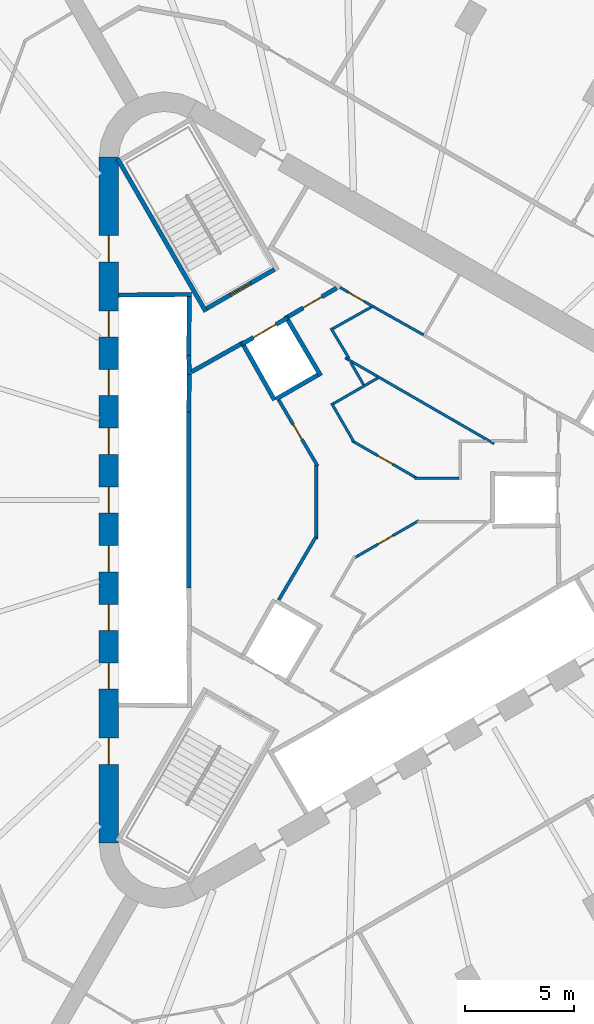
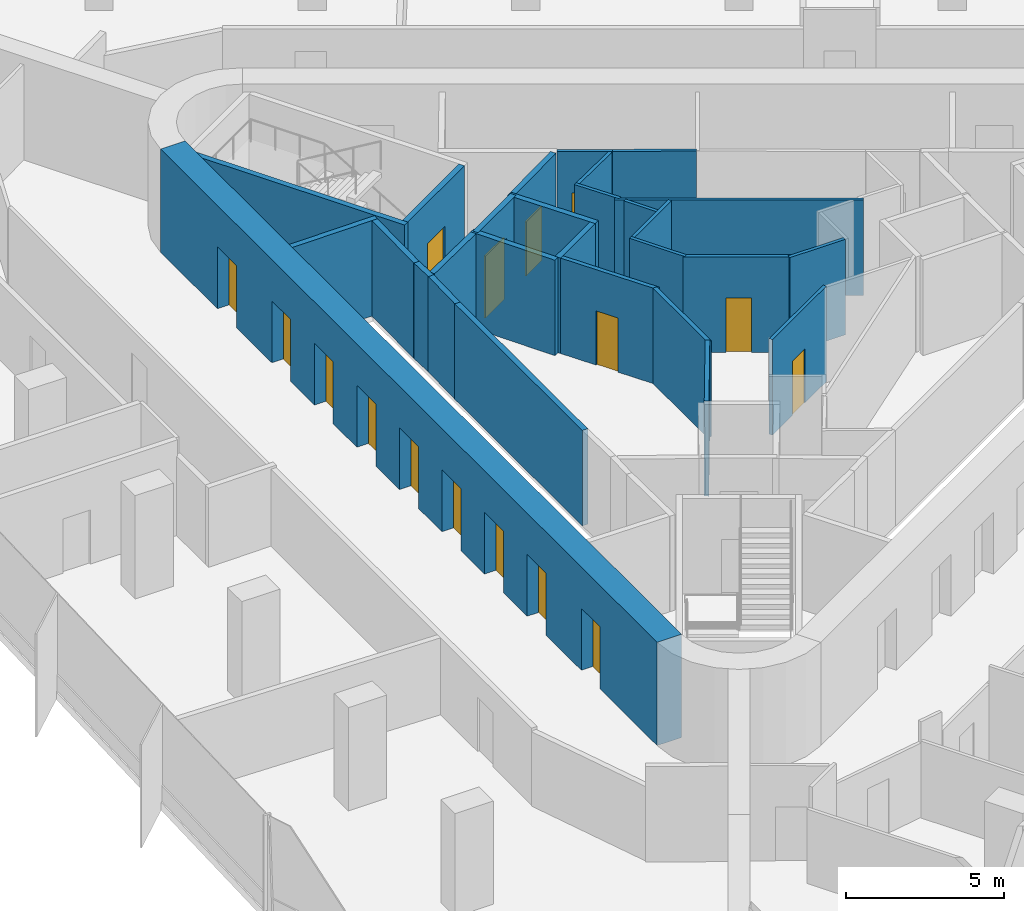
# One storey, part 10 of 14: 28 walls, 16 doors, 16 openings.
"""IFC4 building model written with IfcOpenShell, lengths in metres."""

import ifcopenshell
import ifcopenshell.guid

model = None  # the IFC model being written
_history = None  # IfcOwnerHistory: only IFC2X3 demands one
_inside = {}  # id of a spatial element -> (the spatial element, [elements in it])
_under = {}  # id of a project, library or spatial element -> (it, [spatial elements below it])
_declared = {}  # id of a project -> (the project, [libraries it declares])
_typed = {}  # id of a type object -> (the type object, [elements of that type])
_made_of = {}  # id of a material, layer set ... -> (it, [elements and type objects made of it])


def new_model(schema):
    """Start an empty IFC model of exactly this schema.

    Asked for "IFC4X3", IfcOpenShell would pick the latest addendum, in which some entities
    have other attributes; the version numbers below select the first issue.
    IFC2X3 requires an IfcOwnerHistory on every rooted entity: one is made here for all.
    """
    global model, _history
    if schema == "IFC4X3":
        model = ifcopenshell.file(schema_version=(4, 3, 0, 0))
    else:
        model = ifcopenshell.file(schema=schema)
    _inside.clear()
    _under.clear()
    _declared.clear()
    _typed.clear()
    _made_of.clear()
    _history = None
    if model.schema == "IFC2X3":
        org = make("IfcOrganization", Name="unknown")
        user = make(
            "IfcPersonAndOrganization",
            ThePerson=make("IfcPerson", FamilyName="unknown"),
            TheOrganization=org,
        )
        app = make(
            "IfcApplication",
            ApplicationDeveloper=org,
            Version="unknown",
            ApplicationFullName="unknown",
            ApplicationIdentifier="unknown",
        )
        _history = make(
            "IfcOwnerHistory",
            OwningUser=user,
            OwningApplication=app,
            ChangeAction="ADDED",
            CreationDate=0,
        )
    return model


def make(cls, **values):
    """One entity of the class cls with the attributes given. An attribute that is None is left unset."""
    return model.create_entity(
        cls, **{name: value for name, value in values.items() if value is not None}
    )


def rooted(cls, **values):
    """An entity with a GlobalId (a new one), such as an element, a storey or a relation."""
    return make(cls, GlobalId=ifcopenshell.guid.new(), OwnerHistory=_history, **values)


def si_unit(unit_type, name, prefix=None):
    """IfcSIUnit, for example si_unit("LENGTHUNIT", "METRE", prefix="MILLI")."""
    return make("IfcSIUnit", UnitType=unit_type, Prefix=prefix, Name=name)


def assignment(units):
    """IfcUnitAssignment: the units of a project."""
    return None if units is None else make("IfcUnitAssignment", Units=units)


def point(xyz):
    """IfcCartesianPoint."""
    return None if xyz is None else make("IfcCartesianPoint", Coordinates=xyz)


def direction(xyz):
    """IfcDirection."""
    return None if xyz is None else make("IfcDirection", DirectionRatios=xyz)


def frame(location, z_axis=None, x_axis=None):
    """IfcAxis2Placement3D, a coordinate frame: its origin and axes. An axis left out is left unset."""
    return make(
        "IfcAxis2Placement3D",
        Location=point(location),
        Axis=direction(z_axis),
        RefDirection=direction(x_axis),
    )


def frame_2d(location, x_axis=None):
    """IfcAxis2Placement2D, a coordinate frame in the plane: its origin and x axis."""
    return make(
        "IfcAxis2Placement2D", Location=point(location), RefDirection=direction(x_axis)
    )


def origin():
    """The frame at (0, 0, 0) with its axes left unset."""
    return frame((0.0, 0.0, 0.0))


def place(relative_to, where):
    """IfcLocalPlacement: puts the frame where relative to a parent placement (None: the world)."""
    return make(
        "IfcLocalPlacement", PlacementRelTo=relative_to, RelativePlacement=where
    )


def context(
    kind, dimensions, precision=None, world=None, true_north=None, identifier=None
):
    """IfcGeometricRepresentationContext, for example the 3D "Model" context."""
    return make(
        "IfcGeometricRepresentationContext",
        ContextIdentifier=identifier,
        ContextType=kind,
        CoordinateSpaceDimension=dimensions,
        Precision=precision,
        WorldCoordinateSystem=world,
        TrueNorth=true_north,
    )


def subcontext(parent, identifier, kind, view, scale=None):
    """IfcGeometricRepresentationSubContext, for example "Body" below "Model"."""
    return make(
        "IfcGeometricRepresentationSubContext",
        ContextIdentifier=identifier,
        ContextType=kind,
        ParentContext=parent,
        TargetScale=scale,
        TargetView=view,
    )


def project(units=None, contexts=None):
    """IfcProject with its units and contexts."""
    return rooted(
        "IfcProject",
        Name="project",
        RepresentationContexts=contexts,
        UnitsInContext=assignment(units),
    )


def spatial(cls, under=None, at=None, **own):
    """A site, building, storey or space (cls), placed at a placement, below another one or the project."""
    s = rooted(cls, ObjectPlacement=at, **own)
    if under is not None:
        _under.setdefault(under.id(), (under, []))[1].append(s)
    return s


def profile(cls, at=None, kind="AREA", **sizes):
    """A parametric profile (cls). Its sizes go by their IFC names, for example OverallWidth=200.0."""
    return make(cls, ProfileType=kind, Position=at, **sizes)


def rectangle(**sizes):
    """IfcRectangleProfileDef."""
    return profile("IfcRectangleProfileDef", **sizes)


def extrude(swept, where, along, depth):
    """IfcExtrudedAreaSolid: the profile swept, set in the frame where, extruded along a direction by depth."""
    return make(
        "IfcExtrudedAreaSolid",
        SweptArea=swept,
        Position=where,
        ExtrudedDirection=direction(along),
        Depth=depth,
    )


def shape(context_of_items, identifier, shape_type, items):
    """IfcShapeRepresentation: the items that make up one representation, for example the "Body"."""
    return make(
        "IfcShapeRepresentation",
        ContextOfItems=context_of_items,
        RepresentationIdentifier=identifier,
        RepresentationType=shape_type,
        Items=items,
    )


def material(Name=None, Category=None):
    """IfcMaterial."""
    return make("IfcMaterial", Name=Name, Category=Category)


def layer(
    of_material, thickness, ventilated=None, Name=None, Category=None, Priority=None
):
    """IfcMaterialLayer: one layer of a wall or slab, of a material (None: an air gap)."""
    return make(
        "IfcMaterialLayer",
        Material=of_material,
        LayerThickness=thickness,
        IsVentilated=ventilated,
        Name=Name,
        Category=Category,
        Priority=Priority,
    )


def layer_set(layers, Name=None):
    """IfcMaterialLayerSet."""
    return make("IfcMaterialLayerSet", MaterialLayers=layers, LayerSetName=Name)


def made_of(thing, what):
    """Note that an element or type object is made of a material, layer set ...; save() writes the relation."""
    if what is not None:
        _made_of.setdefault(what.id(), (what, []))[1].append(thing)
    return thing


def type_object(cls, material=None, **own):
    """A type object (cls), such as IfcWallType, which elements share."""
    return made_of(rooted(cls, **own), material)


def element(
    cls,
    number,
    at=None,
    inside=None,
    cuts=None,
    type_object=None,
    material=None,
    context=None,
    identifier="Body",
    shape_type=None,
    held_by="IfcProductDefinitionShape",
    body=None,
    shapes=None,
    **own,
):
    """One element of the class cls, such as IfcWall. Its Tag is "e" and its number.

    at: its placement. inside: the storey or other place that contains it. cuts: it is an
    opening in that element (IfcRelVoidsElement). A single representation is given by context,
    identifier, shape_type and body (its items); several are given by shapes. held_by: the class
    of the entity that holds the representations. save() writes the other relations.
    """
    e = rooted(cls, Tag="e%d" % number, ObjectPlacement=at, **own)
    if body is not None:
        shapes = [shape(context, identifier, shape_type, body)]
    if shapes is not None:
        e.Representation = make(held_by, Representations=shapes)
    if inside is not None:
        _inside.setdefault(inside.id(), (inside, []))[1].append(e)
    if cuts is not None:
        rooted(
            "IfcRelVoidsElement", RelatingBuildingElement=cuts, RelatedOpeningElement=e
        )
    if type_object is not None:
        _typed.setdefault(type_object.id(), (type_object, []))[1].append(e)
    return made_of(e, material)


def fill(opening, filler):
    """IfcRelFillsElement: the door or window that sits in an opening."""
    return rooted(
        "IfcRelFillsElement",
        RelatingOpeningElement=opening,
        RelatedBuildingElement=filler,
    )


def aggregate(whole, parts):
    """IfcRelAggregates: a whole, such as a stair, and the parts it consists of."""
    return rooted("IfcRelAggregates", RelatingObject=whole, RelatedObjects=parts)


def save(model, path):
    """Write the relations noted so far, then the file.

    IfcRelAggregates (storeys below a building ...), IfcRelContainedInSpatialStructure (elements
    in a storey), IfcRelDefinesByType, IfcRelAssociatesMaterial and IfcRelDeclares: one each for
    every whole, place, type object, material and project.
    """
    for whole, parts in _under.values():
        aggregate(whole, parts)
    for where, things in _inside.values():
        rooted(
            "IfcRelContainedInSpatialStructure",
            RelatedElements=things,
            RelatingStructure=where,
        )
    for kind, things in _typed.values():
        rooted("IfcRelDefinesByType", RelatedObjects=things, RelatingType=kind)
    for what, things in _made_of.values():
        rooted("IfcRelAssociatesMaterial", RelatedObjects=things, RelatingMaterial=what)
    for by, libraries in _declared.values():
        rooted("IfcRelDeclares", RelatingContext=by, RelatedDefinitions=libraries)
    model.write(path)


model = new_model("IFC4")

# Units and contexts
model_context = context("Model", 3, precision=1e-05, world=origin(), true_north=direction((0.0, 1.0)))
body_context = subcontext(model_context, "Body", "Model", "MODEL_VIEW")
ifc_project = project(units=[si_unit("LENGTHUNIT", "METRE"), si_unit("AREAUNIT", "SQUARE_METRE"), si_unit("VOLUMEUNIT", "CUBIC_METRE"), si_unit("PLANEANGLEUNIT", "RADIAN"), si_unit("MASSUNIT", "GRAM", prefix="KILO")], contexts=[model_context])

# Site, building, storey
site_placement = place(None, origin())
site = spatial("IfcSite", under=ifc_project, at=site_placement, CompositionType="ELEMENT")
building_placement = place(site_placement, origin())
building = spatial("IfcBuilding", under=site, at=building_placement, Name="Tanit Gate Tower", CompositionType="ELEMENT")
storey_placement = place(building_placement, frame((0.0, 0.0, 241.199951171875)))
storey = spatial("IfcBuildingStorey", under=building, at=storey_placement, Name="L54", CompositionType="ELEMENT", Elevation=241.199951171875)

# Wall, openings, doors
ifc_material_1 = material(Name="Concrete C50/60", Category="concrete")
ifc_layer_1 = layer(ifc_material_1, 0.89990234375)
ifc_layer_set_1 = layer_set([ifc_layer_1], Name="CORE WALL 900 C50/60")
wall_type_1 = type_object("IfcWallType", Name="CORE WALL 900 C50/60", PredefinedType="SHEAR", material=ifc_layer_set_1)
wall_1_placement = place(storey_placement, frame((-11.64990234375, 15.76171875, 0.0), z_axis=(0.0, 0.0, 1.0), x_axis=(0.0, -1.0, 0.0)))
wall_1 = element("IfcWall", 1, at=wall_1_placement, inside=storey, type_object=wall_type_1, Name="CORE WALL", PredefinedType="SHEAR", context=body_context, shape_type="SweptSolid", body=[
    extrude(rectangle(XDim=31.5234375, YDim=0.89990234375, at=frame_2d((15.76171875, 0.0))), origin(), (0.0, 0.0, 1.0), 4.0),
])
opening_1_placement = place(wall_1_placement, frame((7.061767578125, 0.0, 0.0)))
opening_1 = element("IfcOpeningElement", 2, at=opening_1_placement, cuts=wall_1, Name="Opening LDML1-S15", PredefinedType="OPENING", context=body_context, shape_type="SweptSolid", body=[
    extrude(rectangle(XDim=1.199951171875, YDim=2.39990234375, at=frame_2d((0.60009765625, 1.199951171875))), frame((0.0, 0.4599609375, 0.0), z_axis=(0.0, -1.0, 0.0), x_axis=(1.0, 0.0, 0.0)), (0.0, 0.0, 1.0), 0.919921875),
])
opening_2_placement = place(wall_1_placement, frame((9.76171875, 0.0, 0.0)))
opening_2 = element("IfcOpeningElement", 3, at=opening_2_placement, cuts=wall_1, Name="Opening LDML2-S15", PredefinedType="OPENING", context=body_context, shape_type="SweptSolid", body=[
    extrude(rectangle(XDim=1.199951171875, YDim=2.39990234375, at=frame_2d((0.60009765625, 1.199951171875))), frame((0.0, 0.4599609375, 0.0), z_axis=(0.0, -1.0, 0.0), x_axis=(1.0, 0.0, 0.0)), (0.0, 0.0, 1.0), 0.919921875),
])
opening_3_placement = place(wall_1_placement, frame((12.461669921875, 0.0, 0.0)))
opening_3 = element("IfcOpeningElement", 4, at=opening_3_placement, cuts=wall_1, Name="Opening LDML3-S15", PredefinedType="OPENING", context=body_context, shape_type="SweptSolid", body=[
    extrude(rectangle(XDim=1.199951171875, YDim=2.39990234375, at=frame_2d((0.60009765625, 1.199951171875))), frame((0.0, 0.4599609375, 0.0), z_axis=(0.0, -1.0, 0.0), x_axis=(1.0, 0.0, 0.0)), (0.0, 0.0, 1.0), 0.919921875),
])
opening_4_placement = place(wall_1_placement, frame((15.16162109375, 0.0, 0.0)))
opening_4 = element("IfcOpeningElement", 5, at=opening_4_placement, cuts=wall_1, Name="Opening LDML4-S15", PredefinedType="OPENING", context=body_context, shape_type="SweptSolid", body=[
    extrude(rectangle(XDim=1.199951171875, YDim=2.39990234375, at=frame_2d((0.60009765625, 1.199951171875))), frame((0.0, 0.4599609375, 0.0), z_axis=(0.0, -1.0, 0.0), x_axis=(1.0, 0.0, 0.0)), (0.0, 0.0, 1.0), 0.919921875),
])
opening_5_placement = place(wall_1_placement, frame((17.86181640625, 0.0, 0.0)))
opening_5 = element("IfcOpeningElement", 6, at=opening_5_placement, cuts=wall_1, Name="Opening LDML5-S15", PredefinedType="OPENING", context=body_context, shape_type="SweptSolid", body=[
    extrude(rectangle(XDim=1.199951171875, YDim=2.39990234375, at=frame_2d((0.60009765625, 1.199951171875))), frame((0.0, 0.4599609375, 0.0), z_axis=(0.0, -1.0, 0.0), x_axis=(1.0, 0.0, 0.0)), (0.0, 0.0, 1.0), 0.919921875),
])
opening_6_placement = place(wall_1_placement, frame((20.561767578125, 0.0, 0.0)))
opening_6 = element("IfcOpeningElement", 7, at=opening_6_placement, cuts=wall_1, Name="Opening LDML6-S15", PredefinedType="OPENING", context=body_context, shape_type="SweptSolid", body=[
    extrude(rectangle(XDim=1.199951171875, YDim=2.39990234375, at=frame_2d((0.60009765625, 1.199951171875))), frame((0.0, 0.4599609375, 0.0), z_axis=(0.0, -1.0, 0.0), x_axis=(1.0, 0.0, 0.0)), (0.0, 0.0, 1.0), 0.919921875),
])
opening_7_placement = place(wall_1_placement, frame((23.26171875, 0.0, 0.0)))
opening_7 = element("IfcOpeningElement", 8, at=opening_7_placement, cuts=wall_1, Name="Opening LDML7-S15", PredefinedType="OPENING", context=body_context, shape_type="SweptSolid", body=[
    extrude(rectangle(XDim=1.199951171875, YDim=2.39990234375, at=frame_2d((0.60009765625, 1.199951171875))), frame((0.0, 0.4599609375, 0.0), z_axis=(0.0, -1.0, 0.0), x_axis=(1.0, 0.0, 0.0)), (0.0, 0.0, 1.0), 0.919921875),
])
opening_8_placement = place(wall_1_placement, frame((3.61181640625, 0.0, 0.0)))
opening_8 = element("IfcOpeningElement", 9, at=opening_8_placement, cuts=wall_1, Name="Opening F12-S15-FL2", PredefinedType="OPENING", context=body_context, shape_type="SweptSolid", body=[
    extrude(rectangle(XDim=1.199951171875, YDim=2.39990234375, at=frame_2d((0.60009765625, 1.199951171875))), frame((0.0, 0.4599609375, 0.0), z_axis=(0.0, -1.0, 0.0), x_axis=(1.0, 0.0, 0.0)), (0.0, 0.0, 1.0), 0.919921875),
])
opening_9_placement = place(wall_1_placement, frame((26.711669921875, 0.0, 0.0)))
opening_9 = element("IfcOpeningElement", 10, at=opening_9_placement, cuts=wall_1, Name="Opening F12-S15-S3", PredefinedType="OPENING", context=body_context, shape_type="SweptSolid", body=[
    extrude(rectangle(XDim=1.199951171875, YDim=2.39990234375, at=frame_2d((0.60009765625, 1.199951171875))), frame((0.0, 0.4599609375, 0.0), z_axis=(0.0, -1.0, 0.0), x_axis=(1.0, 0.0, 0.0)), (0.0, 0.0, 1.0), 0.919921875),
])
ifc_material_2 = material(Name="Fire-rated steel door leaf", Category="steel")
door_type_1 = type_object("IfcDoorType", Name="INT-DOOR-FIRE-LOBBY-1200", OperationType="NOTDEFINED", PredefinedType="USERDEFINED", material=ifc_material_2)
door_1_placement = place(opening_8_placement, origin())
door_1 = element("IfcDoor", 11, at=door_1_placement, inside=storey, type_object=door_type_1, Name="Door F12-S15-FL2", ObjectType="FIRE DOOR", OperationType="SINGLE_SWING_RIGHT", OverallHeight=2.39990234375, OverallWidth=1.199951171875, PredefinedType="USERDEFINED", context=body_context, shape_type="SweptSolid", body=[
    extrude(rectangle(XDim=1.199951171875, YDim=2.39990234375, at=frame_2d((0.60009765625, 1.199951171875))), frame((0.0, 0.02490234375, 0.0), z_axis=(0.0, -1.0, 0.0), x_axis=(1.0, 0.0, 0.0)), (0.0, 0.0, 1.0), 0.050048828125),
])
fill(opening_8, door_1)
door_2_placement = place(opening_9_placement, origin())
door_2 = element("IfcDoor", 12, at=door_2_placement, inside=storey, type_object=door_type_1, Name="Door F12-S15-S3", ObjectType="FIRE DOOR", OperationType="SINGLE_SWING_RIGHT", OverallHeight=2.39990234375, OverallWidth=1.199951171875, PredefinedType="USERDEFINED", context=body_context, shape_type="SweptSolid", body=[
    extrude(rectangle(XDim=1.199951171875, YDim=2.39990234375, at=frame_2d((0.60009765625, 1.199951171875))), frame((0.0, 0.02490234375, 0.0), z_axis=(0.0, -1.0, 0.0), x_axis=(1.0, 0.0, 0.0)), (0.0, 0.0, 1.0), 0.050048828125),
])
fill(opening_9, door_2)
ifc_material_3 = material(Name="Stainless steel sliding door leaf", Category="steel")
door_type_2 = type_object("IfcDoorType", Name="INT-DOOR-LANDING-1200", OperationType="NOTDEFINED", PredefinedType="USERDEFINED", material=ifc_material_3)
door_3_placement = place(opening_1_placement, origin())
door_3 = element("IfcDoor", 13, at=door_3_placement, inside=storey, type_object=door_type_2, Name="Door LDML1-S15", ObjectType="LANDING DOOR", OperationType="SLIDING_TO_LEFT", OverallHeight=2.39990234375, OverallWidth=1.199951171875, PredefinedType="USERDEFINED", context=body_context, shape_type="SweptSolid", body=[
    extrude(rectangle(XDim=1.199951171875, YDim=2.39990234375, at=frame_2d((0.60009765625, 1.199951171875))), frame((0.0, 0.02490234375, 0.0), z_axis=(0.0, -1.0, 0.0), x_axis=(1.0, 0.0, 0.0)), (0.0, 0.0, 1.0), 0.050048828125),
])
fill(opening_1, door_3)
door_4_placement = place(opening_2_placement, origin())
door_4 = element("IfcDoor", 14, at=door_4_placement, inside=storey, type_object=door_type_2, Name="Door LDML2-S15", ObjectType="LANDING DOOR", OperationType="SLIDING_TO_LEFT", OverallHeight=2.39990234375, OverallWidth=1.199951171875, PredefinedType="USERDEFINED", context=body_context, shape_type="SweptSolid", body=[
    extrude(rectangle(XDim=1.199951171875, YDim=2.39990234375, at=frame_2d((0.60009765625, 1.199951171875))), frame((0.0, 0.02490234375, 0.0), z_axis=(0.0, -1.0, 0.0), x_axis=(1.0, 0.0, 0.0)), (0.0, 0.0, 1.0), 0.050048828125),
])
fill(opening_2, door_4)
door_5_placement = place(opening_3_placement, origin())
door_5 = element("IfcDoor", 15, at=door_5_placement, inside=storey, type_object=door_type_2, Name="Door LDML3-S15", ObjectType="LANDING DOOR", OperationType="SLIDING_TO_LEFT", OverallHeight=2.39990234375, OverallWidth=1.199951171875, PredefinedType="USERDEFINED", context=body_context, shape_type="SweptSolid", body=[
    extrude(rectangle(XDim=1.199951171875, YDim=2.39990234375, at=frame_2d((0.60009765625, 1.199951171875))), frame((0.0, 0.02490234375, 0.0), z_axis=(0.0, -1.0, 0.0), x_axis=(1.0, 0.0, 0.0)), (0.0, 0.0, 1.0), 0.050048828125),
])
fill(opening_3, door_5)
door_6_placement = place(opening_4_placement, origin())
door_6 = element("IfcDoor", 16, at=door_6_placement, inside=storey, type_object=door_type_2, Name="Door LDML4-S15", ObjectType="LANDING DOOR", OperationType="SLIDING_TO_LEFT", OverallHeight=2.39990234375, OverallWidth=1.199951171875, PredefinedType="USERDEFINED", context=body_context, shape_type="SweptSolid", body=[
    extrude(rectangle(XDim=1.199951171875, YDim=2.39990234375, at=frame_2d((0.60009765625, 1.199951171875))), frame((0.0, 0.02490234375, 0.0), z_axis=(0.0, -1.0, 0.0), x_axis=(1.0, 0.0, 0.0)), (0.0, 0.0, 1.0), 0.050048828125),
])
fill(opening_4, door_6)
door_7_placement = place(opening_5_placement, origin())
door_7 = element("IfcDoor", 17, at=door_7_placement, inside=storey, type_object=door_type_2, Name="Door LDML5-S15", ObjectType="LANDING DOOR", OperationType="SLIDING_TO_LEFT", OverallHeight=2.39990234375, OverallWidth=1.199951171875, PredefinedType="USERDEFINED", context=body_context, shape_type="SweptSolid", body=[
    extrude(rectangle(XDim=1.199951171875, YDim=2.39990234375, at=frame_2d((0.60009765625, 1.199951171875))), frame((0.0, 0.02490234375, 0.0), z_axis=(0.0, -1.0, 0.0), x_axis=(1.0, 0.0, 0.0)), (0.0, 0.0, 1.0), 0.050048828125),
])
fill(opening_5, door_7)
door_8_placement = place(opening_6_placement, origin())
door_8 = element("IfcDoor", 18, at=door_8_placement, inside=storey, type_object=door_type_2, Name="Door LDML6-S15", ObjectType="LANDING DOOR", OperationType="SLIDING_TO_LEFT", OverallHeight=2.39990234375, OverallWidth=1.199951171875, PredefinedType="USERDEFINED", context=body_context, shape_type="SweptSolid", body=[
    extrude(rectangle(XDim=1.199951171875, YDim=2.39990234375, at=frame_2d((0.60009765625, 1.199951171875))), frame((0.0, 0.02490234375, 0.0), z_axis=(0.0, -1.0, 0.0), x_axis=(1.0, 0.0, 0.0)), (0.0, 0.0, 1.0), 0.050048828125),
])
fill(opening_6, door_8)
door_9_placement = place(opening_7_placement, origin())
door_9 = element("IfcDoor", 19, at=door_9_placement, inside=storey, type_object=door_type_2, Name="Door LDML7-S15", ObjectType="LANDING DOOR", OperationType="SLIDING_TO_LEFT", OverallHeight=2.39990234375, OverallWidth=1.199951171875, PredefinedType="USERDEFINED", context=body_context, shape_type="SweptSolid", body=[
    extrude(rectangle(XDim=1.199951171875, YDim=2.39990234375, at=frame_2d((0.60009765625, 1.199951171875))), frame((0.0, 0.02490234375, 0.0), z_axis=(0.0, -1.0, 0.0), x_axis=(1.0, 0.0, 0.0)), (0.0, 0.0, 1.0), 0.050048828125),
])
fill(opening_7, door_9)

# Wall
ifc_material_4 = material(Name="Fire-rated gypsum board partition")
ifc_layer_2 = layer(ifc_material_4, 0.199951171875)
ifc_layer_set_2 = layer_set([ifc_layer_2], Name="INT-WALL-COMPARTMENT")
wall_type_2 = type_object("IfcWallType", Name="INT-WALL-COMPARTMENT", PredefinedType="PARTITIONING", material=ifc_layer_set_2)
wall_2_placement = place(storey_placement, frame((-5.600341796875, 7.16015625, 0.0), z_axis=(0.0, 0.0, 1.0), x_axis=(-0.871340486379, -0.490678873396, 0.0)))
element("IfcWall", 20, at=wall_2_placement, inside=storey, type_object=wall_type_2, Name="Wall Compartment W061", PredefinedType="PARTITIONING", context=body_context, shape_type="SweptSolid", body=[
    extrude(rectangle(XDim=2.580810546875, YDim=0.199951171875, at=frame_2d((1.29052734375, 0.0))), origin(), (0.0, 0.0, 1.0), 3.699951171875),
])

# Wall, opening, door
wall_3_placement = place(storey_placement, frame((-1.1787109375, 9.744873046875, 0.0), z_axis=(0.0, 0.0, 1.0), x_axis=(-0.860630814782, -0.509229418482, 0.0)))
wall_3 = element("IfcWall", 21, at=wall_3_placement, inside=storey, type_object=wall_type_2, Name="Wall Compartment W062", PredefinedType="PARTITIONING", context=body_context, shape_type="SweptSolid", body=[
    extrude(rectangle(XDim=2.581787109375, YDim=0.199951171875, at=frame_2d((1.291015625, 0.0))), origin(), (0.0, 0.0, 1.0), 3.699951171875),
])
opening_10_placement = place(wall_3_placement, frame((0.791015625, 0.0, 0.0)))
opening_10 = element("IfcOpeningElement", 22, at=opening_10_placement, cuts=wall_3, Name="Opening F10-S15-05", PredefinedType="OPENING", context=body_context, shape_type="SweptSolid", body=[
    extrude(rectangle(XDim=1.0, YDim=2.10009765625, at=frame_2d((0.5, 1.050048828125))), frame((0.0, 0.10986328125, 0.0), z_axis=(0.0, -1.0, 0.0), x_axis=(1.0, 0.0, 0.0)), (0.0, 0.0, 1.0), 0.219970703125),
])
ifc_material_5 = material(Name="Fire-rated steel door leaf", Category="steel")
door_type_3 = type_object("IfcDoorType", Name="INT-DOOR-FIRE-1000", OperationType="NOTDEFINED", PredefinedType="USERDEFINED", material=ifc_material_5)
door_10_placement = place(opening_10_placement, origin())
door_10 = element("IfcDoor", 23, at=door_10_placement, inside=storey, type_object=door_type_3, Name="Door F10-S15-05", ObjectType="FIRE DOOR", OperationType="SINGLE_SWING_RIGHT", OverallHeight=2.10009765625, OverallWidth=1.0, PredefinedType="USERDEFINED", context=body_context, shape_type="SweptSolid", body=[
    extrude(rectangle(XDim=1.0, YDim=2.10009765625, at=frame_2d((0.5, 1.050048828125))), frame((0.0, 0.02490234375, 0.0), z_axis=(0.0, -1.0, 0.0), x_axis=(1.0, 0.0, 0.0)), (0.0, 0.0, 1.0), 0.050048828125),
])
fill(opening_10, door_10)

ifc_material_6 = material(Name="Gypsum board partition")
ifc_layer_3 = layer(ifc_material_6, 0.1201171875)
ifc_layer_set_3 = layer_set([ifc_layer_3], Name="INT-WALL-PARTITION")
wall_type_3 = type_object("IfcWallType", Name="INT-WALL-PARTITION", PredefinedType="PARTITIONING", material=ifc_layer_set_3)
wall_4_placement = place(storey_placement, frame((-1.02392578125, 9.77099609375, 0.0), z_axis=(0.0, 0.0, 1.0), x_axis=(0.866039397417, -0.499975761534, 0.0)))
wall_4 = element("IfcWall", 24, at=wall_4_placement, inside=storey, type_object=wall_type_3, Name="Wall Partition W056", PredefinedType="PARTITIONING", context=body_context, shape_type="SweptSolid", body=[
    extrude(rectangle(XDim=1.751953125, YDim=0.1201171875, at=frame_2d((0.8759765625, 0.0))), origin(), (0.0, 0.0, 1.0), 3.699951171875),
])
opening_11_placement = place(wall_4_placement, frame((0.4658203125, 0.0, 0.0)))
opening_11 = element("IfcOpeningElement", 25, at=opening_11_placement, cuts=wall_4, Name="Opening R08-S15-16", PredefinedType="OPENING", context=body_context, shape_type="SweptSolid", body=[
    extrude(rectangle(XDim=0.800048828125, YDim=2.10009765625, at=frame_2d((0.39990234375, 1.050048828125))), frame((0.0, 0.070068359375, 0.0), z_axis=(0.0, -1.0, 0.0), x_axis=(1.0, 0.0, 0.0)), (0.0, 0.0, 1.0), 0.14013671875),
])
ifc_material_7 = material(Name="Timber door leaf", Category="wood")
door_type_4 = type_object("IfcDoorType", Name="INT-DOOR-RISER-800", OperationType="NOTDEFINED", PredefinedType="USERDEFINED", material=ifc_material_7)
door_11_placement = place(opening_11_placement, origin())
door_11 = element("IfcDoor", 26, at=door_11_placement, inside=storey, type_object=door_type_4, Name="Door R08-S15-16", ObjectType="FIRE DOOR", OperationType="SINGLE_SWING_RIGHT", OverallHeight=2.10009765625, OverallWidth=0.800048828125, PredefinedType="USERDEFINED", context=body_context, shape_type="SweptSolid", body=[
    extrude(rectangle(XDim=0.800048828125, YDim=2.10009765625, at=frame_2d((0.39990234375, 1.050048828125))), frame((0.0, 0.02490234375, 0.0), z_axis=(0.0, -1.0, 0.0), x_axis=(1.0, 0.0, 0.0)), (0.0, 0.0, 1.0), 0.050048828125),
])
fill(opening_11, door_11)

# Wall
wall_5_placement = place(storey_placement, frame((0.493896484375, 8.895751953125, 0.0), z_axis=(0.0, 0.0, 1.0), x_axis=(0.871426548871, -0.490526013503, 0.0)))
element("IfcWall", 27, at=wall_5_placement, inside=storey, type_object=wall_type_3, Name="Wall Partition W055", PredefinedType="PARTITIONING", context=body_context, shape_type="SweptSolid", body=[
    extrude(rectangle(XDim=2.670166015625, YDim=0.1201171875, at=frame_2d((1.3349609375, 0.0))), origin(), (0.0, 0.0, 1.0), 3.699951171875),
])

# Wall, opening, door
wall_6_placement = place(storey_placement, frame((2.6015625, -0.947998046875, 0.0), z_axis=(0.0, 0.0, 1.0), x_axis=(-0.86601279846, -0.500021832428, 0.0)))
wall_6 = element("IfcWall", 28, at=wall_6_placement, inside=storey, type_object=wall_type_3, Name="Wall Partition W072", PredefinedType="PARTITIONING", context=body_context, shape_type="SweptSolid", body=[
    extrude(rectangle(XDim=3.435302734375, YDim=0.1201171875, at=frame_2d((1.7177734375, 0.0))), origin(), (0.0, 0.0, 1.0), 3.699951171875),
])
opening_12_placement = place(wall_6_placement, frame((1.36962890625, 0.0, 0.0)))
opening_12 = element("IfcOpeningElement", 29, at=opening_12_placement, cuts=wall_6, Name="Opening R08-S15-11", PredefinedType="OPENING", context=body_context, shape_type="SweptSolid", body=[
    extrude(rectangle(XDim=0.800048828125, YDim=2.10009765625, at=frame_2d((0.39990234375, 1.050048828125))), frame((0.0, 0.070068359375, 0.0), z_axis=(0.0, -1.0, 0.0), x_axis=(1.0, 0.0, 0.0)), (0.0, 0.0, 1.0), 0.14013671875),
])
door_12_placement = place(opening_12_placement, origin())
door_12 = element("IfcDoor", 30, at=door_12_placement, inside=storey, type_object=door_type_4, Name="Door R08-S15-11", ObjectType="FIRE DOOR", OperationType="SINGLE_SWING_RIGHT", OverallHeight=2.10009765625, OverallWidth=0.800048828125, PredefinedType="USERDEFINED", context=body_context, shape_type="SweptSolid", body=[
    extrude(rectangle(XDim=0.800048828125, YDim=2.10009765625, at=frame_2d((0.39990234375, 1.050048828125))), frame((0.0, 0.02490234375, 0.0), z_axis=(0.0, -1.0, 0.0), x_axis=(1.0, 0.0, 0.0)), (0.0, 0.0, 1.0), 0.050048828125),
])
fill(opening_12, door_12)

# Walls
wall_7_placement = place(storey_placement, frame((-0.786376953125, 6.5380859375, 0.0), z_axis=(0.0, 0.0, 1.0), x_axis=(0.866034288228, -0.499984611377, 0.0)))
element("IfcWall", 31, at=wall_7_placement, inside=storey, type_object=wall_type_3, Name="Wall Partition W076", PredefinedType="PARTITIONING", context=body_context, shape_type="SweptSolid", body=[
    extrude(rectangle(XDim=7.900146484375, YDim=0.1201171875, at=frame_2d((3.9501953125, 0.0))), origin(), (0.0, 0.0, 1.0), 3.699951171875),
])
wall_8_placement = place(storey_placement, frame((2.407470703125, 1.0, 0.0), z_axis=(0.0, 0.0, 1.0), x_axis=(1.0, 0.0, 0.0)))
element("IfcWall", 32, at=wall_8_placement, inside=storey, type_object=wall_type_3, Name="Wall Partition W079", PredefinedType="PARTITIONING", context=body_context, shape_type="SweptSolid", body=[
    extrude(rectangle(XDim=2.032470703125, YDim=0.1201171875, at=frame_2d((1.01611328125, 0.0))), origin(), (0.0, 0.0, 1.0), 3.699951171875),
])

# Wall, opening, door
wall_9_placement = place(storey_placement, frame((-0.479736328125, 2.72705078125, 0.0), z_axis=(0.0, 0.0, 1.0), x_axis=(0.86601279846, -0.500021832428, 0.0)))
wall_9 = element("IfcWall", 33, at=wall_9_placement, inside=storey, type_object=wall_type_3, Name="Wall Partition W080", PredefinedType="PARTITIONING", context=body_context, shape_type="SweptSolid", body=[
    extrude(rectangle(XDim=3.435302734375, YDim=0.1201171875, at=frame_2d((1.7177734375, 0.0))), origin(), (0.0, 0.0, 1.0), 3.699951171875),
])
opening_13_placement = place(wall_9_placement, frame((1.36962890625, 0.0, 0.0)))
opening_13 = element("IfcOpeningElement", 34, at=opening_13_placement, cuts=wall_9, Name="Opening R08-S15-13", PredefinedType="OPENING", context=body_context, shape_type="SweptSolid", body=[
    extrude(rectangle(XDim=0.800048828125, YDim=2.10009765625, at=frame_2d((0.39990234375, 1.050048828125))), frame((0.0, 0.070068359375, 0.0), z_axis=(0.0, -1.0, 0.0), x_axis=(1.0, 0.0, 0.0)), (0.0, 0.0, 1.0), 0.14013671875),
])
door_13_placement = place(opening_13_placement, origin())
door_13 = element("IfcDoor", 35, at=door_13_placement, inside=storey, type_object=door_type_4, Name="Door R08-S15-13", ObjectType="FIRE DOOR", OperationType="SINGLE_SWING_LEFT", OverallHeight=2.10009765625, OverallWidth=0.800048828125, PredefinedType="USERDEFINED", context=body_context, shape_type="SweptSolid", body=[
    extrude(rectangle(XDim=0.800048828125, YDim=2.10009765625, at=frame_2d((0.39990234375, 1.050048828125))), frame((0.0, 0.02490234375, 0.0), z_axis=(0.0, -1.0, 0.0), x_axis=(1.0, 0.0, 0.0)), (0.0, 0.0, 1.0), 0.050048828125),
])
fill(opening_13, door_13)

# Walls
wall_10_placement = place(storey_placement, frame((-1.4140625, 4.448974609375, 0.0), z_axis=(0.0, 0.0, 1.0), x_axis=(0.500097243556, -0.865969252911, 0.0)))
element("IfcWall", 36, at=wall_10_placement, inside=storey, type_object=wall_type_3, Name="Wall Partition W081", PredefinedType="PARTITIONING", context=body_context, shape_type="SweptSolid", body=[
    extrude(rectangle(XDim=2.02978515625, YDim=0.1201171875, at=frame_2d((1.014892578125, 0.0))), origin(), (0.0, 0.0, 1.0), 3.699951171875),
])
wall_11_placement = place(storey_placement, frame((0.708984375, 5.60546875, 0.0), z_axis=(0.0, 0.0, 1.0), x_axis=(-0.8660096254, -0.500027327967, 0.0)))
element("IfcWall", 37, at=wall_11_placement, inside=storey, type_object=wall_type_3, Name="Wall Partition W082", PredefinedType="PARTITIONING", context=body_context, shape_type="SweptSolid", body=[
    extrude(rectangle(XDim=2.356689453125, YDim=0.1201171875, at=frame_2d((1.17822265625, 0.0))), origin(), (0.0, 0.0, 1.0), 3.699951171875),
])
wall_12_placement = place(storey_placement, frame((-0.532470703125, 6.322265625, 0.0), z_axis=(0.0, 0.0, 1.0), x_axis=(0.50005036918, -0.865996321171, 0.0)))
element("IfcWall", 38, at=wall_12_placement, inside=storey, type_object=wall_type_3, Name="Wall Partition W083", PredefinedType="PARTITIONING", context=body_context, shape_type="SweptSolid", body=[
    extrude(rectangle(XDim=1.181640625, YDim=0.1201171875, at=frame_2d((0.5908203125, 0.0))), origin(), (0.0, 0.0, 1.0), 3.699951171875),
])
wall_13_placement = place(storey_placement, frame((-1.442626953125, 7.896728515625, 0.0), z_axis=(0.0, 0.0, 1.0), x_axis=(0.514937238613, -0.85722788119, 0.0)))
element("IfcWall", 39, at=wall_13_placement, inside=storey, type_object=wall_type_3, Name="Wall Partition W084", PredefinedType="PARTITIONING", context=body_context, shape_type="SweptSolid", body=[
    extrude(rectangle(XDim=1.626220703125, YDim=0.1201171875, at=frame_2d((0.81298828125, 0.0))), origin(), (0.0, 0.0, 1.0), 3.699951171875),
])
wall_14_placement = place(storey_placement, frame((0.414306640625, 8.87109375, 0.0), z_axis=(0.0, 0.0, 1.0), x_axis=(-0.871809386997, -0.48984527429, 0.0)))
element("IfcWall", 40, at=wall_14_placement, inside=storey, type_object=wall_type_3, Name="Wall Partition W085", PredefinedType="PARTITIONING", context=body_context, shape_type="SweptSolid", body=[
    extrude(rectangle(XDim=2.034423828125, YDim=0.1201171875, at=frame_2d((1.01708984375, 0.0))), origin(), (0.0, 0.0, 1.0), 3.699951171875),
])

# Wall, opening, door
ifc_material_8 = material(Name="Fire-rated gypsum board partition")
ifc_layer_4 = layer(ifc_material_8, 0.14990234375)
ifc_layer_set_4 = layer_set([ifc_layer_4], Name="INT-WALL-RISER")
wall_type_4 = type_object("IfcWallType", Name="INT-WALL-RISER", PredefinedType="PLUMBINGWALL", material=ifc_layer_set_4)
wall_15_placement = place(storey_placement, frame((-2.05712890625, 1.565185546875, 0.0), z_axis=(0.0, 0.0, 1.0), x_axis=(-0.507299271879, 0.861769951176, 0.0)))
wall_15 = element("IfcWall", 41, at=wall_15_placement, inside=storey, type_object=wall_type_4, Name="Wall Riser W065", PredefinedType="PLUMBINGWALL", context=body_context, shape_type="SweptSolid", body=[
    extrude(rectangle(XDim=3.51611328125, YDim=0.14990234375, at=frame_2d((1.758056640625, 0.0))), origin(), (0.0, 0.0, 1.0), 3.699951171875),
])
opening_14_placement = place(wall_15_placement, frame((1.421630859375, 0.0, 0.0)))
opening_14 = element("IfcOpeningElement", 42, at=opening_14_placement, cuts=wall_15, Name="Opening R08-S15-10", PredefinedType="OPENING", context=body_context, shape_type="SweptSolid", body=[
    extrude(rectangle(XDim=0.800048828125, YDim=2.10009765625, at=frame_2d((0.39990234375, 1.050048828125))), frame((0.0, 0.0849609375, 0.0), z_axis=(0.0, -1.0, 0.0), x_axis=(1.0, 0.0, 0.0)), (0.0, 0.0, 1.0), 0.169921875),
])
door_14_placement = place(opening_14_placement, origin())
door_14 = element("IfcDoor", 43, at=door_14_placement, inside=storey, type_object=door_type_4, Name="Door R08-S15-10", ObjectType="FIRE DOOR", OperationType="SINGLE_SWING_LEFT", OverallHeight=2.10009765625, OverallWidth=0.800048828125, PredefinedType="USERDEFINED", context=body_context, shape_type="SweptSolid", body=[
    extrude(rectangle(XDim=0.800048828125, YDim=2.10009765625, at=frame_2d((0.39990234375, 1.050048828125))), frame((0.0, 0.02490234375, 0.0), z_axis=(0.0, -1.0, 0.0), x_axis=(1.0, 0.0, 0.0)), (0.0, 0.0, 1.0), 0.050048828125),
])
fill(opening_14, door_14)

# Walls
wall_16_placement = place(storey_placement, frame((-2.121826171875, -1.802490234375, 0.0), z_axis=(0.0, 0.0, 1.0), x_axis=(0.0, 1.0, 0.0)))
element("IfcWall", 44, at=wall_16_placement, inside=storey, type_object=wall_type_4, Name="Wall Riser W066", PredefinedType="PLUMBINGWALL", context=body_context, shape_type="SweptSolid", body=[
    extrude(rectangle(XDim=3.453857421875, YDim=0.14990234375, at=frame_2d((1.72705078125, 0.0))), origin(), (0.0, 0.0, 1.0), 3.699951171875),
])
wall_17_placement = place(storey_placement, frame((-3.8408203125, -4.59521484375, 0.0), z_axis=(0.0, 0.0, 1.0), x_axis=(0.507318157939, 0.861758833216, 0.0)))
element("IfcWall", 45, at=wall_17_placement, inside=storey, type_object=wall_type_4, Name="Wall Riser W067", PredefinedType="PLUMBINGWALL", context=body_context, shape_type="SweptSolid", body=[
    extrude(rectangle(XDim=3.36474609375, YDim=0.14990234375, at=frame_2d((1.682373046875, 0.0))), origin(), (0.0, 0.0, 1.0), 3.699951171875),
])
ifc_material_9 = material(Name="Gypsum shaft wall system")
ifc_layer_5 = layer(ifc_material_9, 0.199951171875)
ifc_layer_set_5 = layer_set([ifc_layer_5], Name="INT-WALL-SHAFT")
wall_type_5 = type_object("IfcWallType", Name="INT-WALL-SHAFT", PredefinedType="PLUMBINGWALL", material=ifc_layer_set_5)
wall_18_placement = place(storey_placement, frame((-11.199951171875, 9.419921875, 0.0), z_axis=(0.0, 0.0, 1.0), x_axis=(0.999957167047, 0.009255488683, 0.0)))
element("IfcWall", 46, at=wall_18_placement, inside=storey, type_object=wall_type_5, Name="Wall Shaft W001", PredefinedType="PLUMBINGWALL", context=body_context, shape_type="SweptSolid", body=[
    extrude(rectangle(XDim=3.35009765625, YDim=0.199951171875, at=frame_2d((1.675048828125, 0.0))), origin(), (0.0, 0.0, 1.0), 3.699951171875),
])
wall_19_placement = place(storey_placement, frame((-7.951171875, 9.35009765625, 0.0), z_axis=(0.0, 0.0, 1.0), x_axis=(-0.011120469654, -0.999938165666, 0.0)))
element("IfcWall", 47, at=wall_19_placement, inside=storey, type_object=wall_type_5, Name="Wall Shaft W002", PredefinedType="PLUMBINGWALL", context=body_context, shape_type="SweptSolid", body=[
    extrude(rectangle(XDim=2.700439453125, YDim=0.199951171875, at=frame_2d((1.35009765625, 0.0))), origin(), (0.0, 0.0, 1.0), 3.699951171875),
])
wall_20_placement = place(storey_placement, frame((-7.97705078125, 6.650146484375, 0.0), z_axis=(0.0, 0.0, 1.0), x_axis=(0.030861509705, -0.999523670164, 0.0)))
element("IfcWall", 48, at=wall_20_placement, inside=storey, type_object=wall_type_5, Name="Wall Shaft W003", PredefinedType="PLUMBINGWALL", context=body_context, shape_type="SweptSolid", body=[
    extrude(rectangle(XDim=0.878173828125, YDim=0.199951171875, at=frame_2d((0.43896484375, 0.0))), origin(), (0.0, 0.0, 1.0), 3.699951171875),
])
wall_21_placement = place(storey_placement, frame((-7.948974609375, 5.894287109375, 0.0), z_axis=(0.0, 0.0, 1.0), x_axis=(-0.016809909365, -0.999858703491, 0.0)))
element("IfcWall", 49, at=wall_21_placement, inside=storey, type_object=wall_type_5, Name="Wall Shaft W004", PredefinedType="PLUMBINGWALL", context=body_context, shape_type="SweptSolid", body=[
    extrude(rectangle(XDim=1.844482421875, YDim=0.199951171875, at=frame_2d((0.92236328125, 0.0))), origin(), (0.0, 0.0, 1.0), 3.699951171875),
])
wall_22_placement = place(storey_placement, frame((-7.97998046875, 4.050048828125, 0.0), z_axis=(0.0, 0.0, 1.0), x_axis=(0.0, -1.0, 0.0)))
element("IfcWall", 50, at=wall_22_placement, inside=storey, type_object=wall_type_5, Name="Wall Shaft W005", PredefinedType="PLUMBINGWALL", context=body_context, shape_type="SweptSolid", body=[
    extrude(rectangle(XDim=8.10009765625, YDim=0.199951171875, at=frame_2d((4.050048828125, 0.0))), origin(), (0.0, 0.0, 1.0), 3.699951171875),
])

# Wall, opening, door
wall_23_placement = place(storey_placement, frame((-5.524169921875, 7.168212890625, 0.0), z_axis=(0.0, 0.0, 1.0), x_axis=(0.866024647952, 0.500001309137, 0.0)))
wall_23 = element("IfcWall", 51, at=wall_23_placement, inside=storey, type_object=wall_type_5, Name="Wall Shaft W037", PredefinedType="PLUMBINGWALL", context=body_context, shape_type="SweptSolid", body=[
    extrude(rectangle(XDim=2.39990234375, YDim=0.199951171875, at=frame_2d((1.199951171875, 0.0))), origin(), (0.0, 0.0, 1.0), 3.699951171875),
])
opening_15_placement = place(wall_23_placement, frame((0.60009765625, 0.0, 0.0)))
opening_15 = element("IfcOpeningElement", 52, at=opening_15_placement, cuts=wall_23, Name="Opening LDFL2-L54", PredefinedType="OPENING", context=body_context, shape_type="SweptSolid", body=[
    extrude(rectangle(XDim=1.199951171875, YDim=2.39990234375, at=frame_2d((0.60009765625, 1.199951171875))), frame((0.0, 0.10986328125, 0.0), z_axis=(0.0, -1.0, 0.0), x_axis=(1.0, 0.0, 0.0)), (0.0, 0.0, 1.0), 0.219970703125),
])
door_15_placement = place(opening_15_placement, origin())
door_15 = element("IfcDoor", 53, at=door_15_placement, inside=storey, type_object=door_type_2, Name="Door LDFL2-L54", ObjectType="LANDING DOOR", OperationType="SLIDING_TO_LEFT", OverallHeight=2.39990234375, OverallWidth=1.199951171875, PredefinedType="USERDEFINED", context=body_context, shape_type="SweptSolid", body=[
    extrude(rectangle(XDim=1.199951171875, YDim=2.39990234375, at=frame_2d((0.60009765625, 1.199951171875))), frame((0.0, 0.02490234375, 0.0), z_axis=(0.0, -1.0, 0.0), x_axis=(1.0, 0.0, 0.0)), (0.0, 0.0, 1.0), 0.050048828125),
])
fill(opening_15, door_15)

# Walls
wall_24_placement = place(storey_placement, frame((-4.039306640625, 4.59619140625, 0.0), z_axis=(0.0, 0.0, 1.0), x_axis=(-0.491322718731, 0.870977603649, 0.0)))
element("IfcWall", 54, at=wall_24_placement, inside=storey, type_object=wall_type_5, Name="Wall Shaft W038", PredefinedType="PLUMBINGWALL", context=body_context, shape_type="SweptSolid", body=[
    extrude(rectangle(XDim=3.10009765625, YDim=0.199951171875, at=frame_2d((1.550048828125, 0.0))), origin(), (0.0, 0.0, 1.0), 3.699951171875),
])
wall_25_placement = place(storey_placement, frame((-3.53759765625, 8.46533203125, 0.0), z_axis=(0.0, 0.0, 1.0), x_axis=(0.508616218331, -0.860993346345, 0.0)))
element("IfcWall", 55, at=wall_25_placement, inside=storey, type_object=wall_type_5, Name="Wall Shaft W039", PredefinedType="PLUMBINGWALL", context=body_context, shape_type="SweptSolid", body=[
    extrude(rectangle(XDim=3.2001953125, YDim=0.199951171875, at=frame_2d((1.60009765625, 0.0))), origin(), (0.0, 0.0, 1.0), 3.699951171875),
])
wall_26_placement = place(storey_placement, frame((-2.04736328125, 5.74609375, 0.0), z_axis=(0.0, 0.0, 1.0), x_axis=(-0.866019606374, -0.500010041276, 0.0)))
element("IfcWall", 56, at=wall_26_placement, inside=storey, type_object=wall_type_5, Name="Wall Shaft W040", PredefinedType="PLUMBINGWALL", context=body_context, shape_type="SweptSolid", body=[
    extrude(rectangle(XDim=2.20458984375, YDim=0.199951171875, at=frame_2d((1.102294921875, 0.0))), origin(), (0.0, 0.0, 1.0), 3.699951171875),
])
ifc_material_10 = material(Name="Concrete C40/50", Category="concrete")
ifc_layer_6 = layer(ifc_material_10, 0.199951171875)
ifc_layer_set_6 = layer_set([ifc_layer_6], Name="INT-WALL-STAIR")
wall_type_6 = type_object("IfcWallType", Name="INT-WALL-STAIR", PredefinedType="SHEAR", material=ifc_layer_set_6)
wall_27_placement = place(storey_placement, frame((-11.245361328125, 15.677734375, -0.300048828125), z_axis=(0.0, 0.0, 1.0), x_axis=(0.499977274689, -0.866038523851, 0.0)))
element("IfcWall", 57, at=wall_27_placement, inside=storey, type_object=wall_type_6, Name="Wall Stair W033", PredefinedType="SHEAR", context=body_context, shape_type="SweptSolid", body=[
    extrude(rectangle(XDim=8.10009765625, YDim=0.199951171875, at=frame_2d((4.050048828125, 0.0))), origin(), (0.0, 0.0, 1.0), 4.0),
])

# Wall, opening, door
wall_28_placement = place(storey_placement, frame((-7.158935546875, 8.799560546875, -0.300048828125), z_axis=(0.0, 0.0, 1.0), x_axis=(0.866047807691, 0.499961193289, 0.0)))
wall_28 = element("IfcWall", 58, at=wall_28_placement, inside=storey, type_object=wall_type_6, Name="Wall Stair W036", PredefinedType="SHEAR", context=body_context, shape_type="SweptSolid", body=[
    extrude(rectangle(XDim=3.599853515625, YDim=0.199951171875, at=frame_2d((1.7998046875, 0.0))), origin(), (0.0, 0.0, 1.0), 4.0),
])
opening_16_placement = place(wall_28_placement, frame((1.25, 0.0, 0.300048828125)))
opening_16 = element("IfcOpeningElement", 59, at=opening_16_placement, cuts=wall_28, Name="Opening S11-S15-04", PredefinedType="OPENING", context=body_context, shape_type="SweptSolid", body=[
    extrude(rectangle(XDim=1.10009765625, YDim=2.10009765625, at=frame_2d((0.550048828125, 1.050048828125))), frame((0.0, 0.10986328125, 0.0), z_axis=(0.0, -1.0, 0.0), x_axis=(1.0, 0.0, 0.0)), (0.0, 0.0, 1.0), 0.219970703125),
])
ifc_material_11 = material(Name="Timber door leaf", Category="wood")
door_type_5 = type_object("IfcDoorType", Name="INT-DOOR-STAIR-1100", OperationType="NOTDEFINED", PredefinedType="USERDEFINED", material=ifc_material_11)
door_16_placement = place(opening_16_placement, origin())
door_16 = element("IfcDoor", 60, at=door_16_placement, inside=storey, type_object=door_type_5, Name="Door S11-S15-04", ObjectType="FIRE DOOR", OperationType="SINGLE_SWING_RIGHT", OverallHeight=2.10009765625, OverallWidth=1.10009765625, PredefinedType="USERDEFINED", context=body_context, shape_type="SweptSolid", body=[
    extrude(rectangle(XDim=1.10009765625, YDim=2.10009765625, at=frame_2d((0.550048828125, 1.050048828125))), frame((0.0, 0.02490234375, 0.0), z_axis=(0.0, -1.0, 0.0), x_axis=(1.0, 0.0, 0.0)), (0.0, 0.0, 1.0), 0.050048828125),
])
fill(opening_16, door_16)

save(model, "model.ifc")
